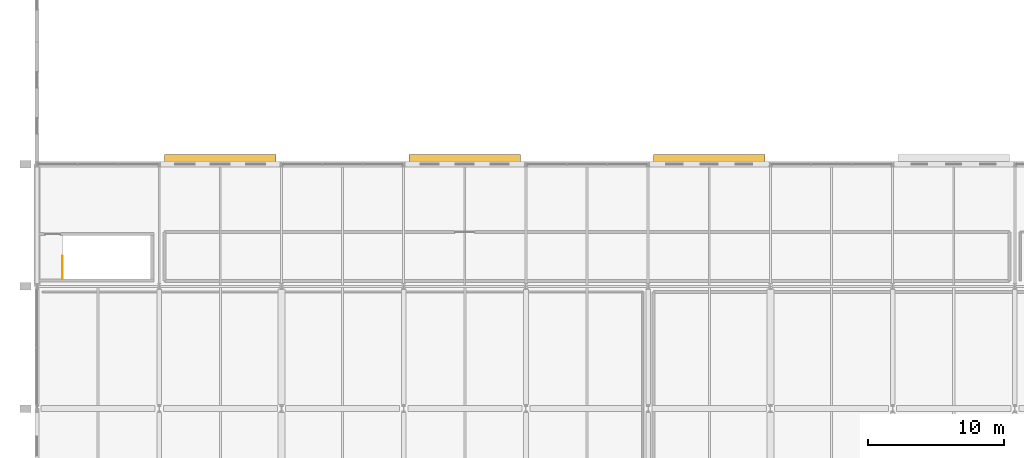
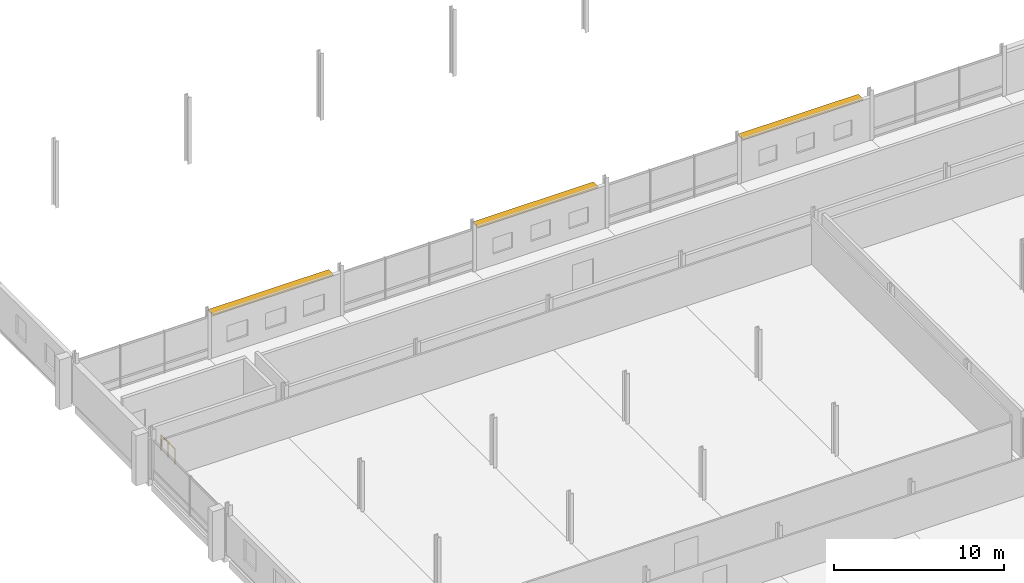
# One storey, part 124 of 132: 3 shading devices, 1 railing.
"""IFC4 building model written with IfcOpenShell, lengths in metres."""

import ifcopenshell
import ifcopenshell.guid

model = None  # the IFC model being written
_history = None  # IfcOwnerHistory: only IFC2X3 demands one
_inside = {}  # id of a spatial element -> (the spatial element, [elements in it])
_under = {}  # id of a project, library or spatial element -> (it, [spatial elements below it])
_declared = {}  # id of a project -> (the project, [libraries it declares])
_typed = {}  # id of a type object -> (the type object, [elements of that type])
_made_of = {}  # id of a material, layer set ... -> (it, [elements and type objects made of it])


def new_model(schema):
    """Start an empty IFC model of exactly this schema.

    Asked for "IFC4X3", IfcOpenShell would pick the latest addendum, in which some entities
    have other attributes; the version numbers below select the first issue.
    IFC2X3 requires an IfcOwnerHistory on every rooted entity: one is made here for all.
    """
    global model, _history
    if schema == "IFC4X3":
        model = ifcopenshell.file(schema_version=(4, 3, 0, 0))
    else:
        model = ifcopenshell.file(schema=schema)
    _inside.clear()
    _under.clear()
    _declared.clear()
    _typed.clear()
    _made_of.clear()
    _history = None
    if model.schema == "IFC2X3":
        org = make("IfcOrganization", Name="unknown")
        user = make(
            "IfcPersonAndOrganization",
            ThePerson=make("IfcPerson", FamilyName="unknown"),
            TheOrganization=org,
        )
        app = make(
            "IfcApplication",
            ApplicationDeveloper=org,
            Version="unknown",
            ApplicationFullName="unknown",
            ApplicationIdentifier="unknown",
        )
        _history = make(
            "IfcOwnerHistory",
            OwningUser=user,
            OwningApplication=app,
            ChangeAction="ADDED",
            CreationDate=0,
        )
    return model


def make(cls, **values):
    """One entity of the class cls with the attributes given. An attribute that is None is left unset."""
    return model.create_entity(
        cls, **{name: value for name, value in values.items() if value is not None}
    )


def rooted(cls, **values):
    """An entity with a GlobalId (a new one), such as an element, a storey or a relation."""
    return make(cls, GlobalId=ifcopenshell.guid.new(), OwnerHistory=_history, **values)


def si_unit(unit_type, name, prefix=None):
    """IfcSIUnit, for example si_unit("LENGTHUNIT", "METRE", prefix="MILLI")."""
    return make("IfcSIUnit", UnitType=unit_type, Prefix=prefix, Name=name)


def assignment(units):
    """IfcUnitAssignment: the units of a project."""
    return None if units is None else make("IfcUnitAssignment", Units=units)


def point(xyz):
    """IfcCartesianPoint."""
    return None if xyz is None else make("IfcCartesianPoint", Coordinates=xyz)


def direction(xyz):
    """IfcDirection."""
    return None if xyz is None else make("IfcDirection", DirectionRatios=xyz)


def frame(location, z_axis=None, x_axis=None):
    """IfcAxis2Placement3D, a coordinate frame: its origin and axes. An axis left out is left unset."""
    return make(
        "IfcAxis2Placement3D",
        Location=point(location),
        Axis=direction(z_axis),
        RefDirection=direction(x_axis),
    )


def frame_2d(location, x_axis=None):
    """IfcAxis2Placement2D, a coordinate frame in the plane: its origin and x axis."""
    return make(
        "IfcAxis2Placement2D", Location=point(location), RefDirection=direction(x_axis)
    )


def origin():
    """The frame at (0, 0, 0) with its axes left unset."""
    return frame((0.0, 0.0, 0.0))


def origin_2d():
    """The frame at (0, 0) in the plane with its x axis left unset."""
    return frame_2d((0.0, 0.0))


def place(relative_to, where):
    """IfcLocalPlacement: puts the frame where relative to a parent placement (None: the world)."""
    return make(
        "IfcLocalPlacement", PlacementRelTo=relative_to, RelativePlacement=where
    )


def context(
    kind, dimensions, precision=None, world=None, true_north=None, identifier=None
):
    """IfcGeometricRepresentationContext, for example the 3D "Model" context."""
    return make(
        "IfcGeometricRepresentationContext",
        ContextIdentifier=identifier,
        ContextType=kind,
        CoordinateSpaceDimension=dimensions,
        Precision=precision,
        WorldCoordinateSystem=world,
        TrueNorth=true_north,
    )


def subcontext(parent, identifier, kind, view, scale=None):
    """IfcGeometricRepresentationSubContext, for example "Body" below "Model"."""
    return make(
        "IfcGeometricRepresentationSubContext",
        ContextIdentifier=identifier,
        ContextType=kind,
        ParentContext=parent,
        TargetScale=scale,
        TargetView=view,
    )


def project(units=None, contexts=None):
    """IfcProject with its units and contexts."""
    return rooted(
        "IfcProject",
        Name="project",
        RepresentationContexts=contexts,
        UnitsInContext=assignment(units),
    )


def spatial(cls, under=None, at=None, **own):
    """A site, building, storey or space (cls), placed at a placement, below another one or the project."""
    s = rooted(cls, ObjectPlacement=at, **own)
    if under is not None:
        _under.setdefault(under.id(), (under, []))[1].append(s)
    return s


def profile(cls, at=None, kind="AREA", **sizes):
    """A parametric profile (cls). Its sizes go by their IFC names, for example OverallWidth=200.0."""
    return make(cls, ProfileType=kind, Position=at, **sizes)


def rectangle(**sizes):
    """IfcRectangleProfileDef."""
    return profile("IfcRectangleProfileDef", **sizes)


def circle(**sizes):
    """IfcCircleProfileDef."""
    return profile("IfcCircleProfileDef", **sizes)


def extrude(swept, where, along, depth):
    """IfcExtrudedAreaSolid: the profile swept, set in the frame where, extruded along a direction by depth."""
    return make(
        "IfcExtrudedAreaSolid",
        SweptArea=swept,
        Position=where,
        ExtrudedDirection=direction(along),
        Depth=depth,
    )


def shape(context_of_items, identifier, shape_type, items):
    """IfcShapeRepresentation: the items that make up one representation, for example the "Body"."""
    return make(
        "IfcShapeRepresentation",
        ContextOfItems=context_of_items,
        RepresentationIdentifier=identifier,
        RepresentationType=shape_type,
        Items=items,
    )


def material(Name=None, Category=None):
    """IfcMaterial."""
    return make("IfcMaterial", Name=Name, Category=Category)


def layer(
    of_material, thickness, ventilated=None, Name=None, Category=None, Priority=None
):
    """IfcMaterialLayer: one layer of a wall or slab, of a material (None: an air gap)."""
    return make(
        "IfcMaterialLayer",
        Material=of_material,
        LayerThickness=thickness,
        IsVentilated=ventilated,
        Name=Name,
        Category=Category,
        Priority=Priority,
    )


def layer_set(layers, Name=None):
    """IfcMaterialLayerSet."""
    return make("IfcMaterialLayerSet", MaterialLayers=layers, LayerSetName=Name)


def made_of(thing, what):
    """Note that an element or type object is made of a material, layer set ...; save() writes the relation."""
    if what is not None:
        _made_of.setdefault(what.id(), (what, []))[1].append(thing)
    return thing


def type_object(cls, material=None, **own):
    """A type object (cls), such as IfcWallType, which elements share."""
    return made_of(rooted(cls, **own), material)


def element(
    cls,
    number,
    at=None,
    inside=None,
    cuts=None,
    type_object=None,
    material=None,
    context=None,
    identifier="Body",
    shape_type=None,
    held_by="IfcProductDefinitionShape",
    body=None,
    shapes=None,
    **own,
):
    """One element of the class cls, such as IfcWall. Its Tag is "e" and its number.

    at: its placement. inside: the storey or other place that contains it. cuts: it is an
    opening in that element (IfcRelVoidsElement). A single representation is given by context,
    identifier, shape_type and body (its items); several are given by shapes. held_by: the class
    of the entity that holds the representations. save() writes the other relations.
    """
    e = rooted(cls, Tag="e%d" % number, ObjectPlacement=at, **own)
    if body is not None:
        shapes = [shape(context, identifier, shape_type, body)]
    if shapes is not None:
        e.Representation = make(held_by, Representations=shapes)
    if inside is not None:
        _inside.setdefault(inside.id(), (inside, []))[1].append(e)
    if cuts is not None:
        rooted(
            "IfcRelVoidsElement", RelatingBuildingElement=cuts, RelatedOpeningElement=e
        )
    if type_object is not None:
        _typed.setdefault(type_object.id(), (type_object, []))[1].append(e)
    return made_of(e, material)


def aggregate(whole, parts):
    """IfcRelAggregates: a whole, such as a stair, and the parts it consists of."""
    return rooted("IfcRelAggregates", RelatingObject=whole, RelatedObjects=parts)


def save(model, path):
    """Write the relations noted so far, then the file.

    IfcRelAggregates (storeys below a building ...), IfcRelContainedInSpatialStructure (elements
    in a storey), IfcRelDefinesByType, IfcRelAssociatesMaterial and IfcRelDeclares: one each for
    every whole, place, type object, material and project.
    """
    for whole, parts in _under.values():
        aggregate(whole, parts)
    for where, things in _inside.values():
        rooted(
            "IfcRelContainedInSpatialStructure",
            RelatedElements=things,
            RelatingStructure=where,
        )
    for kind, things in _typed.values():
        rooted("IfcRelDefinesByType", RelatedObjects=things, RelatingType=kind)
    for what, things in _made_of.values():
        rooted("IfcRelAssociatesMaterial", RelatedObjects=things, RelatingMaterial=what)
    for by, libraries in _declared.values():
        rooted("IfcRelDeclares", RelatingContext=by, RelatedDefinitions=libraries)
    model.write(path)


model = new_model("IFC4")

# Units and contexts
model_context = context("Model", 3, precision=1e-05, world=origin(), true_north=direction((0.0, 1.0)))
body_context = subcontext(model_context, "Body", "Model", "MODEL_VIEW")
ifc_project = project(units=[si_unit("LENGTHUNIT", "METRE"), si_unit("AREAUNIT", "SQUARE_METRE"), si_unit("VOLUMEUNIT", "CUBIC_METRE"), si_unit("PLANEANGLEUNIT", "RADIAN"), si_unit("MASSUNIT", "GRAM", prefix="KILO")], contexts=[model_context])

# Site, building, storey
site_placement = place(None, origin())
site = spatial("IfcSite", under=ifc_project, at=site_placement, CompositionType="ELEMENT")
building_placement = place(site_placement, origin())
building = spatial("IfcBuilding", under=site, at=building_placement, Name="Tharagai Park Tramway Depot", CompositionType="ELEMENT")
storey_placement = place(building_placement, frame((0.0, 0.0, 4.800048828125)))
storey = spatial("IfcBuildingStorey", under=building, at=storey_placement, Name="L01", CompositionType="ELEMENT", Elevation=4.800048828125)

# Railing
ifc_material_1 = material(Name="Galvanised steel", Category="steel")
railing_type = type_object("IfcRailingType", Name="HR-02", PredefinedType="GUARDRAIL", material=ifc_material_1)
railing_placement = place(storey_placement, frame((1.8701171875, 90.550048828125, 0.0)))
element("IfcRailing", 1, at=railing_placement, inside=storey, type_object=railing_type, Name="L01 ST-10 top well guard 1", PredefinedType="GUARDRAIL", context=body_context, shape_type="SweptSolid", body=[
    extrude(circle(Radius=0.02392578125, at=origin_2d()), frame((0.0, 0.0, 1.076171875), z_axis=(0.0, 1.0, 0.0), x_axis=(-1.0, 0.0, 0.0)), (0.0, 0.0, 1.0), 1.669921875),
    extrude(circle(Radius=0.02099609375, at=origin_2d()), origin(), (0.0, 0.0, 1.0), 1.052001953125),
    extrude(circle(Radius=0.02099609375, at=origin_2d()), frame((0.0, 0.8349609375, 0.0)), (0.0, 0.0, 1.0), 1.052001953125),
    extrude(circle(Radius=0.02099609375, at=origin_2d()), frame((0.0, 1.669921875, 0.0)), (0.0, 0.0, 1.0), 1.052001953125),
])

# Shading devices
ifc_material_2 = material(Name="Anodised aluminium", Category="aluminium")
ifc_layer = layer(ifc_material_2, 0.090087890625)
ifc_layer_set = layer_set([ifc_layer], Name="Anodised aluminium")
shading_device_type = type_object("IfcShadingDeviceType", Name="SD-01", PredefinedType="SHUTTER", material=ifc_layer_set)
for number, where, z_axis, x_axis, name in (
    (2, (13.5, 99.429931640625, 2.81689453125), (0.0, 0.0, 1.0), (1.0, 0.0, 0.0), "Monsoon Storm Louvre Hood SD-01 #21"),
    (3, (31.5, 99.429931640625, 2.81689453125), (0.0, 0.0, 1.0), (1.0, 0.0, 0.0), "Monsoon Storm Louvre Hood SD-01 #22"),
    (4, (49.5, 99.429931640625, 2.81689453125), (0.0, 0.0, 1.0), (1.0, 0.0, 0.0), "Monsoon Storm Louvre Hood SD-01 #23"),
):
    element("IfcShadingDevice", number, at=place(storey_placement, frame(where, z_axis=z_axis, x_axis=x_axis)), inside=storey, type_object=shading_device_type, Name=name, PredefinedType="SHUTTER", context=body_context, shape_type="SweptSolid", body=[
        extrude(rectangle(XDim=8.19189453125, YDim=0.580078125, at=origin_2d()), origin(), (0.0, 0.0, 1.0), 0.090087890625),
    ])

save(model, "model.ifc")
